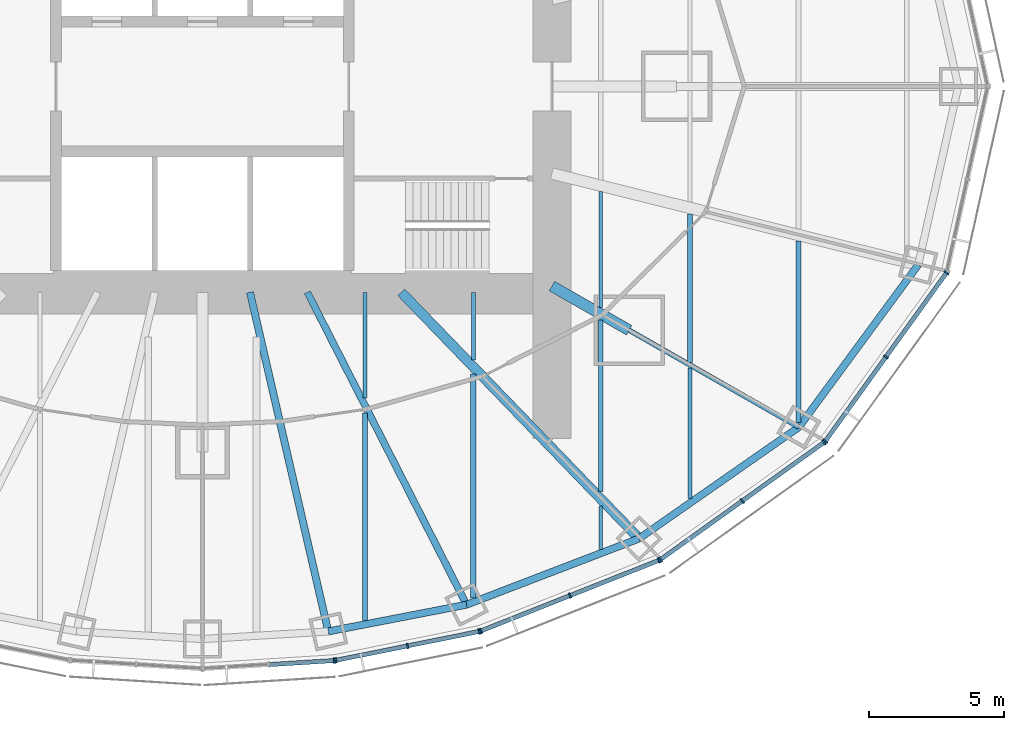
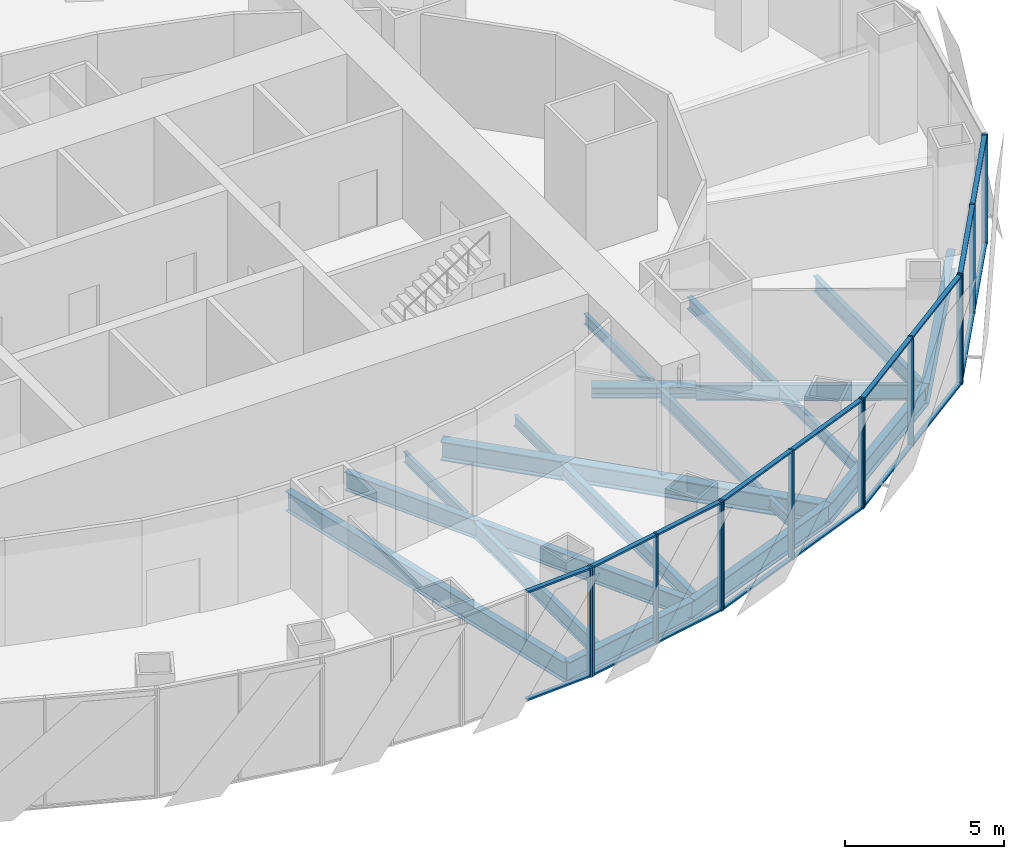
# One storey, part 5 of 18: 31 members, 19 beams, 5 elements without a shape of their own.
"""IFC4 building model written with IfcOpenShell, lengths in metres."""

from ifc_helpers import new_model, si_unit, direction, frame, origin, origin_2d, place, context, subcontext, project, spatial, rectangle, i_section, extrude, material, material_profile, profile_set, type_object, element, aggregate, save


model = new_model("IFC4")

# Units and contexts
model_context = context("Model", 3, precision=1e-05, world=origin(), true_north=direction((0.0, 1.0)))
body_context = subcontext(model_context, "Body", "Model", "MODEL_VIEW")
ifc_project = project(units=[si_unit("LENGTHUNIT", "METRE"), si_unit("AREAUNIT", "SQUARE_METRE"), si_unit("VOLUMEUNIT", "CUBIC_METRE"), si_unit("PLANEANGLEUNIT", "RADIAN"), si_unit("MASSUNIT", "GRAM", prefix="KILO")], contexts=[model_context])

# Site, building, storey
site_placement = place(None, origin())
site = spatial("IfcSite", under=ifc_project, at=site_placement, CompositionType="ELEMENT")
building_placement = place(site_placement, origin())
building = spatial("IfcBuilding", under=site, at=building_placement, Name="Lantaw Convention Tower", CompositionType="ELEMENT")
storey_placement = place(building_placement, frame((0.0, 0.0, 134.199951171875)))
storey = spatial("IfcBuildingStorey", under=building, at=storey_placement, Name="L31", CompositionType="ELEMENT", Elevation=134.199951171875)

# Beams
ifc_material_1 = material(Name="Steel ASTM A992", Category="steel")
ifc_material_profile_1 = material_profile(ifc_material_1, i_section(OverallWidth=0.2666015625, OverallDepth=0.76953125, WebThickness=0.015625, FlangeThickness=0.025390625, FilletRadius=0.0126953125, at=origin_2d()), Name="W30X132")
ifc_profile_set_1 = profile_set([ifc_material_profile_1], Name="Steel ASTM A992")
beam_type_1 = type_object("IfcBeamType", Name="Beam E W30X132", PredefinedType="SPANDREL", material=ifc_profile_set_1)
beam_1_placement = place(storey_placement, frame((4.64501953125, -20.1201171875, -0.53466796875), z_axis=(0.981796805654, 0.189934284446, 0.0), x_axis=(-0.189934284446, 0.981796805654, 0.0)))
element("IfcBeam", 1, at=beam_1_placement, inside=storey, type_object=beam_type_1, Name="Edge beam 20", PredefinedType="SPANDREL", context=body_context, shape_type="SweptSolid", body=[
    extrude(i_section(OverallWidth=0.2666015625, OverallDepth=0.76953125, WebThickness=0.015625, FlangeThickness=0.025390625, FilletRadius=0.0126953125, at=origin_2d()), origin(), (0.0, 0.0, 1.0), 5.1982421875),
])
beam_2_placement = place(storey_placement, frame((9.74853515625, -19.1328125, -0.53466796875), z_axis=(0.933691081977, 0.358079549033, 0.0), x_axis=(-0.358079549033, 0.933691081977, 0.0)))
element("IfcBeam", 2, at=beam_2_placement, inside=storey, type_object=beam_type_1, Name="Edge beam 21", PredefinedType="SPANDREL", context=body_context, shape_type="SweptSolid", body=[
    extrude(i_section(OverallWidth=0.2666015625, OverallDepth=0.76953125, WebThickness=0.015625, FlangeThickness=0.025390625, FilletRadius=0.0126953125, at=origin_2d()), origin(), (0.0, 0.0, 1.0), 6.821533203125),
])
beam_3_placement = place(storey_placement, frame((16.11767578125, -16.690185546875, -0.53466796875), z_axis=(0.820310765287, 0.57191804339, 0.0), x_axis=(-0.57191804339, 0.820310765287, 0.0)))
element("IfcBeam", 3, at=beam_3_placement, inside=storey, type_object=beam_type_1, Name="Edge beam 22", PredefinedType="SPANDREL", context=body_context, shape_type="SweptSolid", body=[
    extrude(i_section(OverallWidth=0.2666015625, OverallDepth=0.76953125, WebThickness=0.015625, FlangeThickness=0.025390625, FilletRadius=0.0126953125, at=origin_2d()), origin(), (0.0, 0.0, 1.0), 7.187744140625),
])
beam_4_placement = place(storey_placement, frame((22.013916015625, -12.579345703125, -0.53466796875), z_axis=(0.5923891972, 0.805651934176, 0.0), x_axis=(-0.805651934176, 0.5923891972, 0.0)))
element("IfcBeam", 4, at=beam_4_placement, inside=storey, type_object=beam_type_1, Name="Edge beam 23", PredefinedType="SPANDREL", context=body_context, shape_type="SweptSolid", body=[
    extrude(i_section(OverallWidth=0.2666015625, OverallDepth=0.76953125, WebThickness=0.015625, FlangeThickness=0.025390625, FilletRadius=0.0126953125, at=origin_2d()), origin(), (0.0, 0.0, 1.0), 7.437744140625),
])
ifc_material_profile_2 = material_profile(ifc_material_1, i_section(OverallWidth=0.177978515625, OverallDepth=0.599365234375, WebThickness=0.010009765625, FlangeThickness=0.012939453125, FilletRadius=0.012939453125, at=origin_2d()), Name="W24X55")
ifc_profile_set_2 = profile_set([ifc_material_profile_2], Name="Steel ASTM A992")
beam_type_2 = type_object("IfcBeamType", Name="Beam G W24X55", PredefinedType="BEAM", material=ifc_profile_set_2)
beam_5_placement = place(storey_placement, frame((15.75, -9.0, -0.44970703125), z_axis=(0.868245224608, -0.496135293993, 0.0), x_axis=(0.496135293993, 0.868245224608, 0.0)))
element("IfcBeam", 5, at=beam_5_placement, inside=storey, type_object=beam_type_2, Name="Floor girder on ray 23", PredefinedType="BEAM", context=body_context, shape_type="SweptSolid", body=[
    extrude(i_section(OverallWidth=0.177978515625, OverallDepth=0.599365234375, WebThickness=0.010009765625, FlangeThickness=0.012939453125, FilletRadius=0.012939453125, at=origin_2d()), origin(), (0.0, 0.0, 1.0), 7.21435546875),
])
ifc_material_profile_3 = material_profile(ifc_material_1, i_section(OverallWidth=0.25390625, OverallDepth=0.700927734375, WebThickness=0.015380859375, FlangeThickness=0.02783203125, FilletRadius=0.01513671875, at=origin_2d()), Name="W27X129")
ifc_profile_set_3 = profile_set([ifc_material_profile_3], Name="Steel ASTM A992")
beam_type_3 = type_object("IfcBeamType", Name="Beam G W27X129", PredefinedType="BEAM", material=ifc_profile_set_3)
beam_6_placement = place(storey_placement, frame((3.872314453125, -7.60009765625, -0.50048828125), z_axis=(0.453991051051, -0.891006243281, 0.0), x_axis=(0.891006243281, 0.453991051051, 0.0)))
element("IfcBeam", 6, at=beam_6_placement, inside=storey, type_object=beam_type_3, Name="Floor girder on ray 21", PredefinedType="BEAM", context=body_context, shape_type="SweptSolid", body=[
    extrude(i_section(OverallWidth=0.25390625, OverallDepth=0.700927734375, WebThickness=0.015380859375, FlangeThickness=0.02783203125, FilletRadius=0.01513671875, at=origin_2d()), origin(), (0.0, 0.0, 1.0), 12.943359375),
])
ifc_material_profile_4 = material_profile(ifc_material_1, i_section(OverallWidth=0.360595703125, OverallDepth=0.72900390625, WebThickness=0.023193359375, FlangeThickness=0.041015625, FilletRadius=0.0126953125, at=origin_2d()), Name="W27X235")
ifc_profile_set_4 = profile_set([ifc_material_profile_4], Name="Steel ASTM A992")
beam_type_4 = type_object("IfcBeamType", Name="Beam G W27X235", PredefinedType="BEAM", material=ifc_profile_set_4)
beam_7_placement = place(storey_placement, frame((7.33935546875, -7.60009765625, -0.514404296875), z_axis=(0.694663467407, -0.719334878239, 0.0), x_axis=(0.719334878239, 0.694663467407, 0.0)))
element("IfcBeam", 7, at=beam_7_placement, inside=storey, type_object=beam_type_4, Name="Floor girder on ray 22", PredefinedType="BEAM", context=body_context, shape_type="SweptSolid", body=[
    extrude(i_section(OverallWidth=0.360595703125, OverallDepth=0.72900390625, WebThickness=0.023193359375, FlangeThickness=0.041015625, FilletRadius=0.0126953125, at=origin_2d()), origin(), (0.0, 0.0, 1.0), 12.63671875),
])
ifc_material_profile_5 = material_profile(ifc_material_1, i_section(OverallWidth=0.2666015625, OverallDepth=0.7568359375, WebThickness=0.013916015625, FlangeThickness=0.019287109375, FilletRadius=0.0126953125, at=origin_2d()), Name="W30X108")
ifc_profile_set_5 = profile_set([ifc_material_profile_5], Name="Steel ASTM A992")
beam_type_5 = type_object("IfcBeamType", Name="Beam G W30X108", PredefinedType="BEAM", material=ifc_profile_set_5)
beam_8_placement = place(storey_placement, frame((1.754638671875, -7.60009765625, -0.5283203125), z_axis=(0.224944153104, -0.974371658036, 0.0), x_axis=(0.974371658036, 0.224944153104, 0.0)))
element("IfcBeam", 8, at=beam_8_placement, inside=storey, type_object=beam_type_5, Name="Floor girder on ray 20", PredefinedType="BEAM", context=body_context, shape_type="SweptSolid", body=[
    extrude(i_section(OverallWidth=0.2666015625, OverallDepth=0.7568359375, WebThickness=0.013916015625, FlangeThickness=0.019287109375, FilletRadius=0.0126953125, at=origin_2d()), origin(), (0.0, 0.0, 1.0), 12.849365234375),
])
ifc_material_profile_6 = material_profile(ifc_material_1, i_section(OverallWidth=0.40380859375, OverallDepth=0.406494140625, WebThickness=0.027099609375, FlangeThickness=0.043701171875, FilletRadius=0.01513671875, at=origin_2d()), Name="W14X233")
ifc_profile_set_6 = profile_set([ifc_material_profile_6], Name="Steel ASTM A992")
beam_type_6 = type_object("IfcBeamType", Name="Beam GM W14X233", PredefinedType="BEAM", material=ifc_profile_set_6)
beam_9_placement = place(storey_placement, frame((12.89990234375, -7.371337890625, -0.353271484375), z_axis=(0.868238565244, -0.496146947811, 0.0), x_axis=(0.496146947811, 0.868238565244, 0.0)))
element("IfcBeam", 9, at=beam_9_placement, inside=storey, type_object=beam_type_6, Name="Core link beam on ray 23", PredefinedType="BEAM", context=body_context, shape_type="SweptSolid", body=[
    extrude(i_section(OverallWidth=0.40380859375, OverallDepth=0.406494140625, WebThickness=0.027099609375, FlangeThickness=0.043701171875, FilletRadius=0.01513671875, at=origin_2d()), origin(), (0.0, 0.0, 1.0), 3.28271484375),
])
ifc_material_profile_7 = material_profile(ifc_material_1, i_section(OverallWidth=0.140380859375, OverallDepth=0.40380859375, WebThickness=0.007080078125, FlangeThickness=0.01123046875, FilletRadius=0.01025390625, at=origin_2d()), Name="W16X31")
ifc_profile_set_7 = profile_set([ifc_material_profile_7], Name="Steel ASTM A992")
beam_type_7 = type_object("IfcBeamType", Name="Beam J W16X31", PredefinedType="JOIST", material=ifc_profile_set_7)
beam_10_placement = place(storey_placement, frame((6.0, -11.495849609375, -0.351806640625), z_axis=(0.0, 1.0, 0.0), x_axis=(-1.0, 0.0, 0.0)))
element("IfcBeam", 10, at=beam_10_placement, inside=storey, type_object=beam_type_7, Name="Floor joist", PredefinedType="JOIST", context=body_context, shape_type="SweptSolid", body=[
    extrude(i_section(OverallWidth=0.140380859375, OverallDepth=0.40380859375, WebThickness=0.007080078125, FlangeThickness=0.01123046875, FilletRadius=0.01025390625, at=origin_2d()), origin(), (0.0, 0.0, 1.0), 3.895751953125),
])
beam_11_placement = place(storey_placement, frame((10.0, -10.095703125, -0.351806640625), z_axis=(0.0, 1.0, 0.0), x_axis=(-1.0, 0.0, 0.0)))
element("IfcBeam", 11, at=beam_11_placement, inside=storey, type_object=beam_type_7, Name="Floor joist", PredefinedType="JOIST", context=body_context, shape_type="SweptSolid", body=[
    extrude(i_section(OverallWidth=0.140380859375, OverallDepth=0.40380859375, WebThickness=0.007080078125, FlangeThickness=0.01123046875, FilletRadius=0.01025390625, at=origin_2d()), origin(), (0.0, 0.0, 1.0), 2.49560546875),
])
beam_12_placement = place(storey_placement, frame((14.699951171875, -17.091064453125, -0.351806640625), z_axis=(0.0, 1.0, 0.0), x_axis=(-1.0, 0.0, 0.0)))
element("IfcBeam", 12, at=beam_12_placement, inside=storey, type_object=beam_type_7, Name="Floor joist", PredefinedType="JOIST", context=body_context, shape_type="SweptSolid", body=[
    extrude(i_section(OverallWidth=0.140380859375, OverallDepth=0.40380859375, WebThickness=0.007080078125, FlangeThickness=0.01123046875, FilletRadius=0.01025390625, at=origin_2d()), origin(), (0.0, 0.0, 1.0), 1.609130859375),
])
beam_13_placement = place(storey_placement, frame((14.699951171875, -8.16748046875, -0.351806640625), z_axis=(0.0, 1.0, 0.0), x_axis=(-1.0, 0.0, 0.0)))
element("IfcBeam", 13, at=beam_13_placement, inside=storey, type_object=beam_type_7, Name="Floor joist", PredefinedType="JOIST", context=body_context, shape_type="SweptSolid", body=[
    extrude(i_section(OverallWidth=0.140380859375, OverallDepth=0.40380859375, WebThickness=0.007080078125, FlangeThickness=0.01123046875, FilletRadius=0.01025390625, at=origin_2d()), origin(), (0.0, 0.0, 1.0), 4.28515625),
])
ifc_material_profile_8 = material_profile(ifc_material_1, i_section(OverallWidth=0.15234375, OverallDepth=0.449462890625, WebThickness=0.007568359375, FlangeThickness=0.0107421875, FilletRadius=0.01025390625, at=origin_2d()), Name="W18X35")
ifc_profile_set_8 = profile_set([ifc_material_profile_8], Name="Steel ASTM A992")
beam_type_8 = type_object("IfcBeamType", Name="Beam J W18X35", PredefinedType="JOIST", material=ifc_profile_set_8)
beam_14_placement = place(storey_placement, frame((18.0, -15.21533203125, -0.374755859375), z_axis=(0.0, 1.0, 0.0), x_axis=(-1.0, 0.0, 0.0)))
element("IfcBeam", 14, at=beam_14_placement, inside=storey, type_object=beam_type_8, Name="Floor joist", PredefinedType="JOIST", context=body_context, shape_type="SweptSolid", body=[
    extrude(i_section(OverallWidth=0.15234375, OverallDepth=0.449462890625, WebThickness=0.007568359375, FlangeThickness=0.0107421875, FilletRadius=0.01025390625, at=origin_2d()), origin(), (0.0, 0.0, 1.0), 4.8271484375),
])
ifc_material_profile_9 = material_profile(ifc_material_1, i_section(OverallWidth=0.1904296875, OverallDepth=0.457275390625, WebThickness=0.009033203125, FlangeThickness=0.014404296875, FilletRadius=0.01025390625, at=origin_2d()), Name="W18X50")
ifc_profile_set_9 = profile_set([ifc_material_profile_9], Name="Steel ASTM A992")
beam_type_9 = type_object("IfcBeamType", Name="Beam J W18X50", PredefinedType="JOIST", material=ifc_profile_set_9)
beam_15_placement = place(storey_placement, frame((18.0, -10.18310546875, -0.378662109375), z_axis=(0.0, 1.0, 0.0), x_axis=(-1.0, 0.0, 0.0)))
element("IfcBeam", 15, at=beam_15_placement, inside=storey, type_object=beam_type_9, Name="Floor joist", PredefinedType="JOIST", context=body_context, shape_type="SweptSolid", body=[
    extrude(i_section(OverallWidth=0.1904296875, OverallDepth=0.457275390625, WebThickness=0.009033203125, FlangeThickness=0.014404296875, FilletRadius=0.01025390625, at=origin_2d()), origin(), (0.0, 0.0, 1.0), 5.47802734375),
])
ifc_material_profile_10 = material_profile(ifc_material_1, i_section(OverallWidth=0.1650390625, OverallDepth=0.52587890625, WebThickness=0.0087890625, FlangeThickness=0.011474609375, FilletRadius=0.0126953125, at=origin_2d()), Name="W21X44")
ifc_profile_set_10 = profile_set([ifc_material_profile_10], Name="Steel ASTM A992")
beam_type_10 = type_object("IfcBeamType", Name="Beam J W21X44", PredefinedType="JOIST", material=ifc_profile_set_10)
beam_16_placement = place(storey_placement, frame((14.699951171875, -14.962646484375, -0.412841796875), z_axis=(0.0, 1.0, 0.0), x_axis=(-1.0, 0.0, 0.0)))
element("IfcBeam", 16, at=beam_16_placement, inside=storey, type_object=beam_type_10, Name="Floor joist", PredefinedType="JOIST", context=body_context, shape_type="SweptSolid", body=[
    extrude(i_section(OverallWidth=0.1650390625, OverallDepth=0.52587890625, WebThickness=0.0087890625, FlangeThickness=0.011474609375, FilletRadius=0.0126953125, at=origin_2d()), origin(), (0.0, 0.0, 1.0), 6.330078125),
])
ifc_material_profile_11 = material_profile(ifc_material_1, i_section(OverallWidth=0.2099609375, OverallDepth=0.535888671875, WebThickness=0.010986328125, FlangeThickness=0.017333984375, FilletRadius=0.012939453125, at=origin_2d()), Name="W21X68")
ifc_profile_set_11 = profile_set([ifc_material_profile_11], Name="Steel ASTM A992")
beam_type_11 = type_object("IfcBeamType", Name="Beam J W21X68", PredefinedType="JOIST", material=ifc_profile_set_11)
beam_17_placement = place(storey_placement, frame((10.0, -18.8935546875, -0.41796875), z_axis=(0.0, 1.0, 0.0), x_axis=(-1.0, 0.0, 0.0)))
element("IfcBeam", 17, at=beam_17_placement, inside=storey, type_object=beam_type_11, Name="Floor joist", PredefinedType="JOIST", context=body_context, shape_type="SweptSolid", body=[
    extrude(i_section(OverallWidth=0.2099609375, OverallDepth=0.535888671875, WebThickness=0.010986328125, FlangeThickness=0.017333984375, FilletRadius=0.012939453125, at=origin_2d()), origin(), (0.0, 0.0, 1.0), 8.278564453125),
])
ifc_material_profile_12 = material_profile(ifc_material_1, i_section(OverallWidth=0.177978515625, OverallDepth=0.599365234375, WebThickness=0.010009765625, FlangeThickness=0.012939453125, FilletRadius=0.012939453125, at=origin_2d()), Name="W24X55")
ifc_profile_set_12 = profile_set([ifc_material_profile_12], Name="Steel ASTM A992")
beam_type_12 = type_object("IfcBeamType", Name="Beam J W24X55", PredefinedType="JOIST", material=ifc_profile_set_12)
beam_18_placement = place(storey_placement, frame((6.0, -19.72216796875, -0.44970703125), z_axis=(0.0, 1.0, 0.0), x_axis=(-1.0, 0.0, 0.0)))
element("IfcBeam", 18, at=beam_18_placement, inside=storey, type_object=beam_type_12, Name="Floor joist", PredefinedType="JOIST", context=body_context, shape_type="SweptSolid", body=[
    extrude(i_section(OverallWidth=0.177978515625, OverallDepth=0.599365234375, WebThickness=0.010009765625, FlangeThickness=0.012939453125, FilletRadius=0.012939453125, at=origin_2d()), origin(), (0.0, 0.0, 1.0), 7.666748046875),
])
beam_19_placement = place(storey_placement, frame((22.0, -12.408935546875, -0.44970703125), z_axis=(0.0, 1.0, 0.0), x_axis=(-1.0, 0.0, 0.0)))
element("IfcBeam", 19, at=beam_19_placement, inside=storey, type_object=beam_type_12, Name="Floor joist", PredefinedType="JOIST", context=body_context, shape_type="SweptSolid", body=[
    extrude(i_section(OverallWidth=0.177978515625, OverallDepth=0.599365234375, WebThickness=0.010009765625, FlangeThickness=0.012939453125, FilletRadius=0.012939453125, at=origin_2d()), origin(), (0.0, 0.0, 1.0), 6.70654296875),
])

# Curtain wall, member
ifc_material_2 = material(Name="Aluminium framed curtain wall", Category="aluminium")
curtain_wall_type = type_object("IfcCurtainWallType", Name="Office curtain wall low rise, pale aluminium", PredefinedType="USERDEFINED", material=ifc_material_2)
curtain_wall_1_placement = place(storey_placement, origin())
curtain_wall_1 = element("IfcCurtainWall", 20, at=curtain_wall_1_placement, inside=storey, type_object=curtain_wall_type, Name="Office curtain wall low rise, pale aluminium L31", ObjectType="UNITISED CURTAIN WALL", PredefinedType="USERDEFINED")
ifc_material_3 = material(Name="Aluminium 6063-T6", Category="aluminium")
ifc_material_profile_13 = material_profile(ifc_material_3, rectangle(XDim=0.199951171875, YDim=0.06494140625, at=origin_2d()), Name="CW-O1 mullion 65x200")
ifc_profile_set_13 = profile_set([ifc_material_profile_13], Name="Aluminium 6063-T6")
member_type_1 = type_object("IfcMemberType", Name="CW-O1 mullion 65x200", PredefinedType="MULLION", material=ifc_profile_set_13)
member_1_placement = place(storey_placement, frame((4.860107421875, -21.19384765625, -0.14990234375), z_axis=(0.0, 0.0, 1.0), x_axis=(-0.062865059466, 0.998022035978, 0.0)))
member_1 = element("IfcMember", 21, at=member_1_placement, type_object=member_type_1, Name="CW-O1 mullion 3", PredefinedType="MULLION", context=body_context, shape_type="SweptSolid", body=[
    extrude(rectangle(XDim=0.199951171875, YDim=0.06494140625, at=origin_2d()), origin(), (0.0, 0.0, 1.0), 4.199951171875),
])

# Curtain wall, members
curtain_wall_2_placement = place(storey_placement, origin())
curtain_wall_2 = element("IfcCurtainWall", 22, at=curtain_wall_2_placement, inside=storey, type_object=curtain_wall_type, Name="Office curtain wall low rise, pale aluminium L31", ObjectType="UNITISED CURTAIN WALL", PredefinedType="USERDEFINED")
member_2_placement = place(storey_placement, frame((4.92431640625, -21.185302734375, -0.14990234375), z_axis=(0.0, 0.0, 1.0), x_axis=(-0.197506809659, 0.980301514912, 0.0)))
member_2 = element("IfcMember", 23, at=member_2_placement, type_object=member_type_1, Name="CW-O1 mullion 1", PredefinedType="MULLION", context=body_context, shape_type="SweptSolid", body=[
    extrude(rectangle(XDim=0.199951171875, YDim=0.06494140625, at=origin_2d()), origin(), (0.0, 0.0, 1.0), 4.199951171875),
])
member_3_placement = place(storey_placement, frame((7.5703125, -20.65234375, -0.14990234375), z_axis=(0.0, 0.0, 1.0), x_axis=(-0.197506809659, 0.980301514912, 0.0)))
member_3 = element("IfcMember", 24, at=member_3_placement, type_object=member_type_1, Name="CW-O1 mullion 2", PredefinedType="MULLION", context=body_context, shape_type="SweptSolid", body=[
    extrude(rectangle(XDim=0.199951171875, YDim=0.06494140625, at=origin_2d()), origin(), (0.0, 0.0, 1.0), 4.199951171875),
])
member_4_placement = place(storey_placement, frame((10.216064453125, -20.119140625, -0.14990234375), z_axis=(0.0, 0.0, 1.0), x_axis=(-0.197506809659, 0.980301514912, 0.0)))
member_4 = element("IfcMember", 25, at=member_4_placement, type_object=member_type_1, Name="CW-O1 mullion 3", PredefinedType="MULLION", context=body_context, shape_type="SweptSolid", body=[
    extrude(rectangle(XDim=0.199951171875, YDim=0.06494140625, at=origin_2d()), origin(), (0.0, 0.0, 1.0), 4.199951171875),
])

curtain_wall_3_placement = place(storey_placement, origin())
curtain_wall_3 = element("IfcCurtainWall", 26, at=curtain_wall_3_placement, inside=storey, type_object=curtain_wall_type, Name="Office curtain wall low rise, pale aluminium L31", ObjectType="UNITISED CURTAIN WALL", PredefinedType="USERDEFINED")
member_5_placement = place(storey_placement, frame((10.2783203125, -20.100830078125, -0.14990234375), z_axis=(0.0, 0.0, 1.0), x_axis=(-0.368701907483, 0.929547687544, 0.0)))
member_5 = element("IfcMember", 27, at=member_5_placement, type_object=member_type_1, Name="CW-O1 mullion 1", PredefinedType="MULLION", context=body_context, shape_type="SweptSolid", body=[
    extrude(rectangle(XDim=0.199951171875, YDim=0.06494140625, at=origin_2d()), origin(), (0.0, 0.0, 1.0), 4.199951171875),
])
member_6_placement = place(storey_placement, frame((13.56494140625, -18.797119140625, -0.14990234375), z_axis=(0.0, 0.0, 1.0), x_axis=(-0.368701907483, 0.929547687544, 0.0)))
member_6 = element("IfcMember", 28, at=member_6_placement, type_object=member_type_1, Name="CW-O1 mullion 2", PredefinedType="MULLION", context=body_context, shape_type="SweptSolid", body=[
    extrude(rectangle(XDim=0.199951171875, YDim=0.06494140625, at=origin_2d()), origin(), (0.0, 0.0, 1.0), 4.199951171875),
])
member_7_placement = place(storey_placement, frame((16.8515625, -17.49365234375, -0.14990234375), z_axis=(0.0, 0.0, 1.0), x_axis=(-0.368701907483, 0.929547687544, 0.0)))
member_7 = element("IfcMember", 29, at=member_7_placement, type_object=member_type_1, Name="CW-O1 mullion 3", PredefinedType="MULLION", context=body_context, shape_type="SweptSolid", body=[
    extrude(rectangle(XDim=0.199951171875, YDim=0.06494140625, at=origin_2d()), origin(), (0.0, 0.0, 1.0), 4.199951171875),
])

curtain_wall_4_placement = place(storey_placement, origin())
curtain_wall_4 = element("IfcCurtainWall", 30, at=curtain_wall_4_placement, inside=storey, type_object=curtain_wall_type, Name="Office curtain wall low rise, pale aluminium L31", ObjectType="UNITISED CURTAIN WALL", PredefinedType="USERDEFINED")
member_8_placement = place(storey_placement, frame((16.908203125, -17.462646484375, -0.14990234375), z_axis=(0.0, 0.0, 1.0), x_axis=(-0.581972695693, 0.813208325995, 0.0)))
member_8 = element("IfcMember", 31, at=member_8_placement, type_object=member_type_1, Name="CW-O1 mullion 1", PredefinedType="MULLION", context=body_context, shape_type="SweptSolid", body=[
    extrude(rectangle(XDim=0.199951171875, YDim=0.06494140625, at=origin_2d()), origin(), (0.0, 0.0, 1.0), 4.199951171875),
])
member_9_placement = place(storey_placement, frame((19.92529296875, -15.303466796875, -0.14990234375), z_axis=(0.0, 0.0, 1.0), x_axis=(-0.581972695693, 0.813208325995, 0.0)))
member_9 = element("IfcMember", 32, at=member_9_placement, type_object=member_type_1, Name="CW-O1 mullion 2", PredefinedType="MULLION", context=body_context, shape_type="SweptSolid", body=[
    extrude(rectangle(XDim=0.199951171875, YDim=0.06494140625, at=origin_2d()), origin(), (0.0, 0.0, 1.0), 4.199951171875),
])
member_10_placement = place(storey_placement, frame((22.942626953125, -13.14404296875, -0.14990234375), z_axis=(0.0, 0.0, 1.0), x_axis=(-0.581972695693, 0.813208325995, 0.0)))
member_10 = element("IfcMember", 33, at=member_10_placement, type_object=member_type_1, Name="CW-O1 mullion 3", PredefinedType="MULLION", context=body_context, shape_type="SweptSolid", body=[
    extrude(rectangle(XDim=0.199951171875, YDim=0.06494140625, at=origin_2d()), origin(), (0.0, 0.0, 1.0), 4.199951171875),
])

curtain_wall_5_placement = place(storey_placement, origin())
curtain_wall_5 = element("IfcCurtainWall", 34, at=curtain_wall_5_placement, inside=storey, type_object=curtain_wall_type, Name="Office curtain wall low rise, pale aluminium L31", ObjectType="UNITISED CURTAIN WALL", PredefinedType="USERDEFINED")
member_11_placement = place(storey_placement, frame((22.988037109375, -13.098876953125, -0.14990234375), z_axis=(0.0, 0.0, 1.0), x_axis=(-0.811384633629, 0.584512597221, 0.0)))
member_11 = element("IfcMember", 35, at=member_11_placement, type_object=member_type_1, Name="CW-O1 mullion 1", PredefinedType="MULLION", context=body_context, shape_type="SweptSolid", body=[
    extrude(rectangle(XDim=0.199951171875, YDim=0.06494140625, at=origin_2d()), origin(), (0.0, 0.0, 1.0), 4.199951171875),
])
member_12_placement = place(storey_placement, frame((25.22802734375, -9.9892578125, -0.14990234375), z_axis=(0.0, 0.0, 1.0), x_axis=(-0.811384633629, 0.584512597221, 0.0)))
member_12 = element("IfcMember", 36, at=member_12_placement, type_object=member_type_1, Name="CW-O1 mullion 2", PredefinedType="MULLION", context=body_context, shape_type="SweptSolid", body=[
    extrude(rectangle(XDim=0.199951171875, YDim=0.06494140625, at=origin_2d()), origin(), (0.0, 0.0, 1.0), 4.199951171875),
])
member_13_placement = place(storey_placement, frame((27.46826171875, -6.879638671875, -0.14990234375), z_axis=(0.0, 0.0, 1.0), x_axis=(-0.811384633629, 0.584512597221, 0.0)))
member_13 = element("IfcMember", 37, at=member_13_placement, type_object=member_type_1, Name="CW-O1 mullion 3", PredefinedType="MULLION", context=body_context, shape_type="SweptSolid", body=[
    extrude(rectangle(XDim=0.199951171875, YDim=0.06494140625, at=origin_2d()), origin(), (0.0, 0.0, 1.0), 4.199951171875),
])

# Member
ifc_material_profile_14 = material_profile(ifc_material_3, rectangle(XDim=0.159912109375, YDim=0.06494140625, at=origin_2d()), Name="CW-O1 transom 65x160")
ifc_profile_set_14 = profile_set([ifc_material_profile_14], Name="Aluminium 6063-T6")
member_type_2 = type_object("IfcMemberType", Name="CW-O1 transom 65x160", PredefinedType="USERDEFINED", material=ifc_profile_set_14)
member_14_placement = place(storey_placement, frame((2.478759765625, -21.34375, -0.117431640625), z_axis=(0.998022188463, 0.062862638625, 0.0), x_axis=(-0.062862638625, 0.998022188463, 0.0)))
member_14 = element("IfcMember", 38, at=member_14_placement, type_object=member_type_2, Name="CW-O1 transom 2.1", ObjectType="TRANSOM", PredefinedType="USERDEFINED", context=body_context, shape_type="SweptSolid", body=[
    extrude(rectangle(XDim=0.159912109375, YDim=0.06494140625, at=origin_2d()), origin(), (0.0, 0.0, 1.0), 2.353515625),
])

member_15_placement = place(storey_placement, frame((2.478759765625, -21.34375, 4.017578125), z_axis=(0.998022188463, 0.062862638625, 0.0), x_axis=(-0.062862638625, 0.998022188463, 0.0)))
member_15 = element("IfcMember", 39, at=member_15_placement, type_object=member_type_2, Name="CW-O1 transom 2.2", ObjectType="TRANSOM", PredefinedType="USERDEFINED", context=body_context, shape_type="SweptSolid", body=[
    extrude(rectangle(XDim=0.159912109375, YDim=0.06494140625, at=origin_2d()), origin(), (0.0, 0.0, 1.0), 2.353515625),
])

aggregate(curtain_wall_1, [member_1, member_14, member_15])

member_16_placement = place(storey_placement, frame((4.956298828125, -21.178955078125, -0.117431640625), z_axis=(0.980298027092, 0.197524120247, 0.0), x_axis=(-0.197524120247, 0.980298027092, 0.0)))
member_16 = element("IfcMember", 40, at=member_16_placement, type_object=member_type_2, Name="CW-O1 transom 1.1", ObjectType="TRANSOM", PredefinedType="USERDEFINED", context=body_context, shape_type="SweptSolid", body=[
    extrude(rectangle(XDim=0.159912109375, YDim=0.06494140625, at=origin_2d()), origin(), (0.0, 0.0, 1.0), 2.634033203125),
])

member_17_placement = place(storey_placement, frame((4.956298828125, -21.178955078125, 4.017578125), z_axis=(0.980298027092, 0.197524120247, 0.0), x_axis=(-0.197524120247, 0.980298027092, 0.0)))
member_17 = element("IfcMember", 41, at=member_17_placement, type_object=member_type_2, Name="CW-O1 transom 1.2", ObjectType="TRANSOM", PredefinedType="USERDEFINED", context=body_context, shape_type="SweptSolid", body=[
    extrude(rectangle(XDim=0.159912109375, YDim=0.06494140625, at=origin_2d()), origin(), (0.0, 0.0, 1.0), 2.634033203125),
])

member_18_placement = place(storey_placement, frame((7.60205078125, -20.64599609375, -0.117431640625), z_axis=(0.980301643003, 0.197506173891, 0.0), x_axis=(-0.197506173891, 0.980301643003, 0.0)))
member_18 = element("IfcMember", 42, at=member_18_placement, type_object=member_type_2, Name="CW-O1 transom 2.1", ObjectType="TRANSOM", PredefinedType="USERDEFINED", context=body_context, shape_type="SweptSolid", body=[
    extrude(rectangle(XDim=0.159912109375, YDim=0.06494140625, at=origin_2d()), origin(), (0.0, 0.0, 1.0), 2.63427734375),
])

member_19_placement = place(storey_placement, frame((7.60205078125, -20.64599609375, 4.017578125), z_axis=(0.980301643003, 0.197506173891, 0.0), x_axis=(-0.197506173891, 0.980301643003, 0.0)))
member_19 = element("IfcMember", 43, at=member_19_placement, type_object=member_type_2, Name="CW-O1 transom 2.2", ObjectType="TRANSOM", PredefinedType="USERDEFINED", context=body_context, shape_type="SweptSolid", body=[
    extrude(rectangle(XDim=0.159912109375, YDim=0.06494140625, at=origin_2d()), origin(), (0.0, 0.0, 1.0), 2.63427734375),
])

aggregate(curtain_wall_2, [member_2, member_3, member_4, member_16, member_17, member_18, member_19])

member_20_placement = place(storey_placement, frame((10.308349609375, -20.0888671875, -0.117431640625), z_axis=(0.929540081544, 0.368721082668, 0.0), x_axis=(-0.368721082668, 0.929540081544, 0.0)))
member_20 = element("IfcMember", 44, at=member_20_placement, type_object=member_type_2, Name="CW-O1 transom 1.1", ObjectType="TRANSOM", PredefinedType="USERDEFINED", context=body_context, shape_type="SweptSolid", body=[
    extrude(rectangle(XDim=0.159912109375, YDim=0.06494140625, at=origin_2d()), origin(), (0.0, 0.0, 1.0), 3.470947265625),
])

member_21_placement = place(storey_placement, frame((10.308349609375, -20.0888671875, 4.017578125), z_axis=(0.929540081544, 0.368721082668, 0.0), x_axis=(-0.368721082668, 0.929540081544, 0.0)))
member_21 = element("IfcMember", 45, at=member_21_placement, type_object=member_type_2, Name="CW-O1 transom 1.2", ObjectType="TRANSOM", PredefinedType="USERDEFINED", context=body_context, shape_type="SweptSolid", body=[
    extrude(rectangle(XDim=0.159912109375, YDim=0.06494140625, at=origin_2d()), origin(), (0.0, 0.0, 1.0), 3.470947265625),
])

member_22_placement = place(storey_placement, frame((13.594970703125, -18.78515625, -0.117431640625), z_axis=(0.929564188507, 0.368660303592, 0.0), x_axis=(-0.368660303592, 0.929564188507, 0.0)))
member_22 = element("IfcMember", 46, at=member_22_placement, type_object=member_type_2, Name="CW-O1 transom 2.1", ObjectType="TRANSOM", PredefinedType="USERDEFINED", context=body_context, shape_type="SweptSolid", body=[
    extrude(rectangle(XDim=0.159912109375, YDim=0.06494140625, at=origin_2d()), origin(), (0.0, 0.0, 1.0), 3.470703125),
])

member_23_placement = place(storey_placement, frame((13.594970703125, -18.78515625, 4.017578125), z_axis=(0.929564188507, 0.368660303592, 0.0), x_axis=(-0.368660303592, 0.929564188507, 0.0)))
member_23 = element("IfcMember", 47, at=member_23_placement, type_object=member_type_2, Name="CW-O1 transom 2.2", ObjectType="TRANSOM", PredefinedType="USERDEFINED", context=body_context, shape_type="SweptSolid", body=[
    extrude(rectangle(XDim=0.159912109375, YDim=0.06494140625, at=origin_2d()), origin(), (0.0, 0.0, 1.0), 3.470703125),
])

aggregate(curtain_wall_3, [member_5, member_6, member_7, member_20, member_21, member_22, member_23])

member_24_placement = place(storey_placement, frame((16.9345703125, -17.44384765625, -0.117431640625), z_axis=(0.813190089133, 0.581998177777, 0.0), x_axis=(-0.581998177777, 0.813190089133, 0.0)))
member_24 = element("IfcMember", 48, at=member_24_placement, type_object=member_type_2, Name="CW-O1 transom 1.1", ObjectType="TRANSOM", PredefinedType="USERDEFINED", context=body_context, shape_type="SweptSolid", body=[
    extrude(rectangle(XDim=0.159912109375, YDim=0.06494140625, at=origin_2d()), origin(), (0.0, 0.0, 1.0), 3.645263671875),
])

member_25_placement = place(storey_placement, frame((16.9345703125, -17.44384765625, 4.017578125), z_axis=(0.813190089133, 0.581998177777, 0.0), x_axis=(-0.581998177777, 0.813190089133, 0.0)))
member_25 = element("IfcMember", 49, at=member_25_placement, type_object=member_type_2, Name="CW-O1 transom 1.2", ObjectType="TRANSOM", PredefinedType="USERDEFINED", context=body_context, shape_type="SweptSolid", body=[
    extrude(rectangle(XDim=0.159912109375, YDim=0.06494140625, at=origin_2d()), origin(), (0.0, 0.0, 1.0), 3.645263671875),
])

member_26_placement = place(storey_placement, frame((19.951904296875, -15.284423828125, -0.117431640625), z_axis=(0.813221785972, 0.581953887194, 0.0), x_axis=(-0.581953887194, 0.813221785972, 0.0)))
member_26 = element("IfcMember", 50, at=member_26_placement, type_object=member_type_2, Name="CW-O1 transom 2.1", ObjectType="TRANSOM", PredefinedType="USERDEFINED", context=body_context, shape_type="SweptSolid", body=[
    extrude(rectangle(XDim=0.159912109375, YDim=0.06494140625, at=origin_2d()), origin(), (0.0, 0.0, 1.0), 3.645263671875),
])

member_27_placement = place(storey_placement, frame((19.951904296875, -15.284423828125, 4.017578125), z_axis=(0.813221785972, 0.581953887194, 0.0), x_axis=(-0.581953887194, 0.813221785972, 0.0)))
member_27 = element("IfcMember", 51, at=member_27_placement, type_object=member_type_2, Name="CW-O1 transom 2.2", ObjectType="TRANSOM", PredefinedType="USERDEFINED", context=body_context, shape_type="SweptSolid", body=[
    extrude(rectangle(XDim=0.159912109375, YDim=0.06494140625, at=origin_2d()), origin(), (0.0, 0.0, 1.0), 3.645263671875),
])

aggregate(curtain_wall_4, [member_8, member_9, member_10, member_24, member_25, member_26, member_27])

member_28_placement = place(storey_placement, frame((23.007080078125, -13.072509765625, -0.117431640625), z_axis=(0.584512973979, 0.811384362217, 0.0), x_axis=(-0.811384362217, 0.584512973979, 0.0)))
member_28 = element("IfcMember", 52, at=member_28_placement, type_object=member_type_2, Name="CW-O1 transom 1.1", ObjectType="TRANSOM", PredefinedType="USERDEFINED", context=body_context, shape_type="SweptSolid", body=[
    extrude(rectangle(XDim=0.159912109375, YDim=0.06494140625, at=origin_2d()), origin(), (0.0, 0.0, 1.0), 3.767578125),
])

member_29_placement = place(storey_placement, frame((23.007080078125, -13.072509765625, 4.017578125), z_axis=(0.584512973979, 0.811384362217, 0.0), x_axis=(-0.811384362217, 0.584512973979, 0.0)))
member_29 = element("IfcMember", 53, at=member_29_placement, type_object=member_type_2, Name="CW-O1 transom 1.2", ObjectType="TRANSOM", PredefinedType="USERDEFINED", context=body_context, shape_type="SweptSolid", body=[
    extrude(rectangle(XDim=0.159912109375, YDim=0.06494140625, at=origin_2d()), origin(), (0.0, 0.0, 1.0), 3.767578125),
])

member_30_placement = place(storey_placement, frame((25.2470703125, -9.962890625, -0.117431640625), z_axis=(0.584512973979, 0.811384362217, 0.0), x_axis=(-0.811384362217, 0.584512973979, 0.0)))
member_30 = element("IfcMember", 54, at=member_30_placement, type_object=member_type_2, Name="CW-O1 transom 2.1", ObjectType="TRANSOM", PredefinedType="USERDEFINED", context=body_context, shape_type="SweptSolid", body=[
    extrude(rectangle(XDim=0.159912109375, YDim=0.06494140625, at=origin_2d()), origin(), (0.0, 0.0, 1.0), 3.767578125),
])

member_31_placement = place(storey_placement, frame((25.2470703125, -9.962890625, 4.017578125), z_axis=(0.584512973979, 0.811384362217, 0.0), x_axis=(-0.811384362217, 0.584512973979, 0.0)))
member_31 = element("IfcMember", 55, at=member_31_placement, type_object=member_type_2, Name="CW-O1 transom 2.2", ObjectType="TRANSOM", PredefinedType="USERDEFINED", context=body_context, shape_type="SweptSolid", body=[
    extrude(rectangle(XDim=0.159912109375, YDim=0.06494140625, at=origin_2d()), origin(), (0.0, 0.0, 1.0), 3.767578125),
])

aggregate(curtain_wall_5, [member_11, member_12, member_13, member_28, member_29, member_30, member_31])

save(model, "model.ifc")
